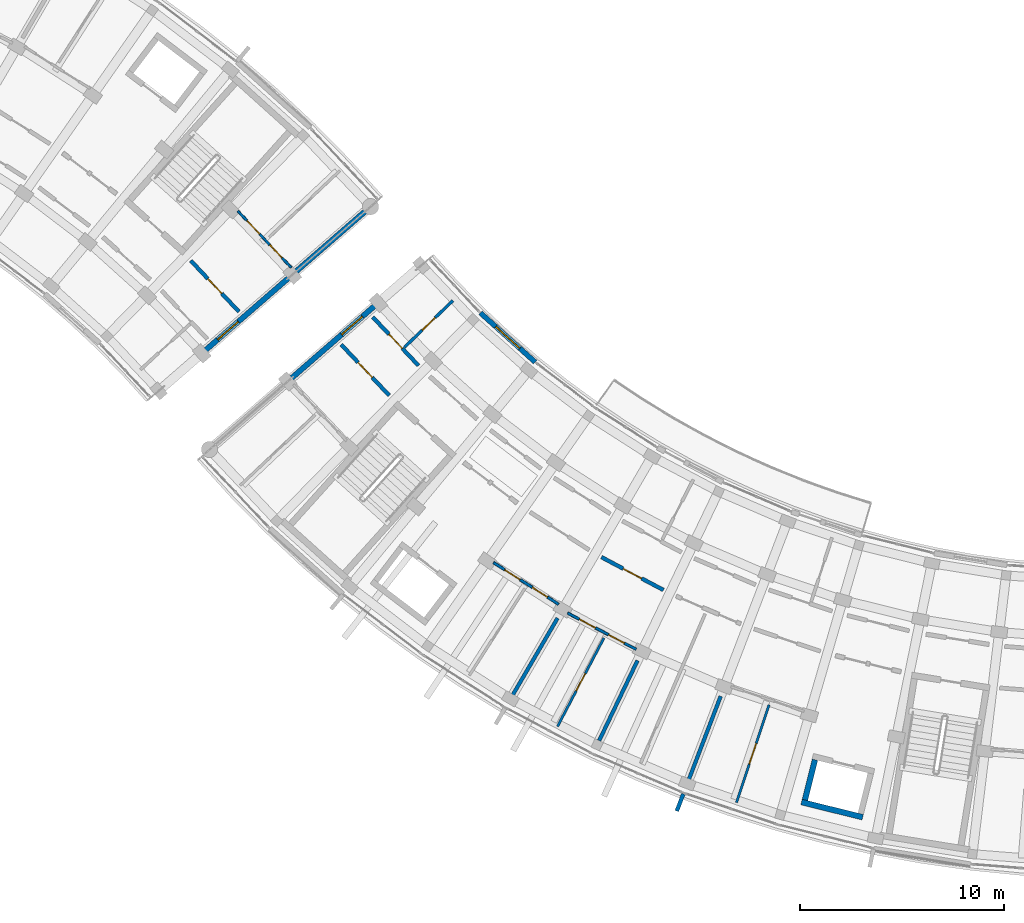
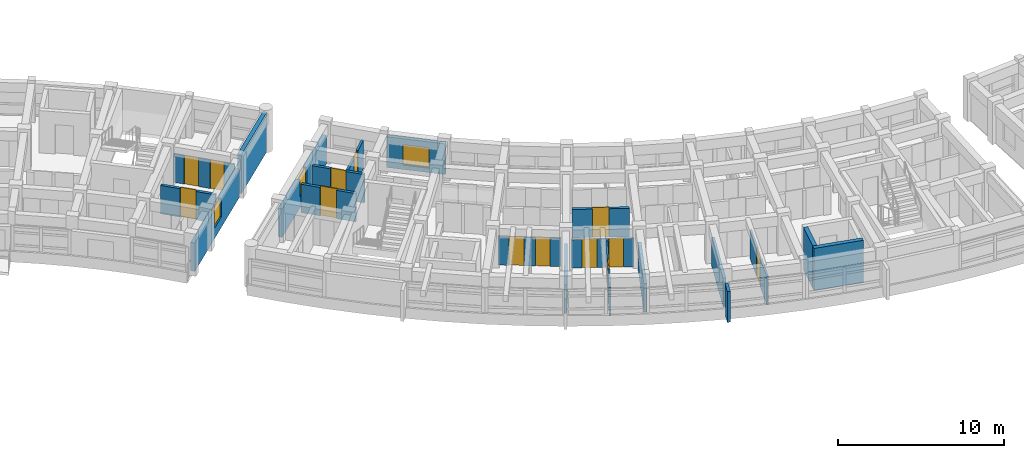
# One storey, part 33 of 56: 20 walls, 13 doors, 3 windows, 16 openings.
"""IFC4 building model written with IfcOpenShell, lengths in metres."""

import ifcopenshell
import ifcopenshell.guid

model = None  # the IFC model being written
_history = None  # IfcOwnerHistory: only IFC2X3 demands one
_inside = {}  # id of a spatial element -> (the spatial element, [elements in it])
_under = {}  # id of a project, library or spatial element -> (it, [spatial elements below it])
_declared = {}  # id of a project -> (the project, [libraries it declares])
_typed = {}  # id of a type object -> (the type object, [elements of that type])
_made_of = {}  # id of a material, layer set ... -> (it, [elements and type objects made of it])


def new_model(schema):
    """Start an empty IFC model of exactly this schema.

    Asked for "IFC4X3", IfcOpenShell would pick the latest addendum, in which some entities
    have other attributes; the version numbers below select the first issue.
    IFC2X3 requires an IfcOwnerHistory on every rooted entity: one is made here for all.
    """
    global model, _history
    if schema == "IFC4X3":
        model = ifcopenshell.file(schema_version=(4, 3, 0, 0))
    else:
        model = ifcopenshell.file(schema=schema)
    _inside.clear()
    _under.clear()
    _declared.clear()
    _typed.clear()
    _made_of.clear()
    _history = None
    if model.schema == "IFC2X3":
        org = make("IfcOrganization", Name="unknown")
        user = make(
            "IfcPersonAndOrganization",
            ThePerson=make("IfcPerson", FamilyName="unknown"),
            TheOrganization=org,
        )
        app = make(
            "IfcApplication",
            ApplicationDeveloper=org,
            Version="unknown",
            ApplicationFullName="unknown",
            ApplicationIdentifier="unknown",
        )
        _history = make(
            "IfcOwnerHistory",
            OwningUser=user,
            OwningApplication=app,
            ChangeAction="ADDED",
            CreationDate=0,
        )
    return model


def make(cls, **values):
    """One entity of the class cls with the attributes given. An attribute that is None is left unset."""
    return model.create_entity(
        cls, **{name: value for name, value in values.items() if value is not None}
    )


def rooted(cls, **values):
    """An entity with a GlobalId (a new one), such as an element, a storey or a relation."""
    return make(cls, GlobalId=ifcopenshell.guid.new(), OwnerHistory=_history, **values)


def si_unit(unit_type, name, prefix=None):
    """IfcSIUnit, for example si_unit("LENGTHUNIT", "METRE", prefix="MILLI")."""
    return make("IfcSIUnit", UnitType=unit_type, Prefix=prefix, Name=name)


def assignment(units):
    """IfcUnitAssignment: the units of a project."""
    return None if units is None else make("IfcUnitAssignment", Units=units)


def point(xyz):
    """IfcCartesianPoint."""
    return None if xyz is None else make("IfcCartesianPoint", Coordinates=xyz)


def direction(xyz):
    """IfcDirection."""
    return None if xyz is None else make("IfcDirection", DirectionRatios=xyz)


def frame(location, z_axis=None, x_axis=None):
    """IfcAxis2Placement3D, a coordinate frame: its origin and axes. An axis left out is left unset."""
    return make(
        "IfcAxis2Placement3D",
        Location=point(location),
        Axis=direction(z_axis),
        RefDirection=direction(x_axis),
    )


def frame_2d(location, x_axis=None):
    """IfcAxis2Placement2D, a coordinate frame in the plane: its origin and x axis."""
    return make(
        "IfcAxis2Placement2D", Location=point(location), RefDirection=direction(x_axis)
    )


def origin():
    """The frame at (0, 0, 0) with its axes left unset."""
    return frame((0.0, 0.0, 0.0))


def place(relative_to, where):
    """IfcLocalPlacement: puts the frame where relative to a parent placement (None: the world)."""
    return make(
        "IfcLocalPlacement", PlacementRelTo=relative_to, RelativePlacement=where
    )


def context(
    kind, dimensions, precision=None, world=None, true_north=None, identifier=None
):
    """IfcGeometricRepresentationContext, for example the 3D "Model" context."""
    return make(
        "IfcGeometricRepresentationContext",
        ContextIdentifier=identifier,
        ContextType=kind,
        CoordinateSpaceDimension=dimensions,
        Precision=precision,
        WorldCoordinateSystem=world,
        TrueNorth=true_north,
    )


def subcontext(parent, identifier, kind, view, scale=None):
    """IfcGeometricRepresentationSubContext, for example "Body" below "Model"."""
    return make(
        "IfcGeometricRepresentationSubContext",
        ContextIdentifier=identifier,
        ContextType=kind,
        ParentContext=parent,
        TargetScale=scale,
        TargetView=view,
    )


def project(units=None, contexts=None):
    """IfcProject with its units and contexts."""
    return rooted(
        "IfcProject",
        Name="project",
        RepresentationContexts=contexts,
        UnitsInContext=assignment(units),
    )


def spatial(cls, under=None, at=None, **own):
    """A site, building, storey or space (cls), placed at a placement, below another one or the project."""
    s = rooted(cls, ObjectPlacement=at, **own)
    if under is not None:
        _under.setdefault(under.id(), (under, []))[1].append(s)
    return s


def profile(cls, at=None, kind="AREA", **sizes):
    """A parametric profile (cls). Its sizes go by their IFC names, for example OverallWidth=200.0."""
    return make(cls, ProfileType=kind, Position=at, **sizes)


def rectangle(**sizes):
    """IfcRectangleProfileDef."""
    return profile("IfcRectangleProfileDef", **sizes)


def extrude(swept, where, along, depth):
    """IfcExtrudedAreaSolid: the profile swept, set in the frame where, extruded along a direction by depth."""
    return make(
        "IfcExtrudedAreaSolid",
        SweptArea=swept,
        Position=where,
        ExtrudedDirection=direction(along),
        Depth=depth,
    )


def shape(context_of_items, identifier, shape_type, items):
    """IfcShapeRepresentation: the items that make up one representation, for example the "Body"."""
    return make(
        "IfcShapeRepresentation",
        ContextOfItems=context_of_items,
        RepresentationIdentifier=identifier,
        RepresentationType=shape_type,
        Items=items,
    )


def material(Name=None, Category=None):
    """IfcMaterial."""
    return make("IfcMaterial", Name=Name, Category=Category)


def layer(
    of_material, thickness, ventilated=None, Name=None, Category=None, Priority=None
):
    """IfcMaterialLayer: one layer of a wall or slab, of a material (None: an air gap)."""
    return make(
        "IfcMaterialLayer",
        Material=of_material,
        LayerThickness=thickness,
        IsVentilated=ventilated,
        Name=Name,
        Category=Category,
        Priority=Priority,
    )


def layer_set(layers, Name=None):
    """IfcMaterialLayerSet."""
    return make("IfcMaterialLayerSet", MaterialLayers=layers, LayerSetName=Name)


def made_of(thing, what):
    """Note that an element or type object is made of a material, layer set ...; save() writes the relation."""
    if what is not None:
        _made_of.setdefault(what.id(), (what, []))[1].append(thing)
    return thing


def type_object(cls, material=None, **own):
    """A type object (cls), such as IfcWallType, which elements share."""
    return made_of(rooted(cls, **own), material)


def element(
    cls,
    number,
    at=None,
    inside=None,
    cuts=None,
    type_object=None,
    material=None,
    context=None,
    identifier="Body",
    shape_type=None,
    held_by="IfcProductDefinitionShape",
    body=None,
    shapes=None,
    **own,
):
    """One element of the class cls, such as IfcWall. Its Tag is "e" and its number.

    at: its placement. inside: the storey or other place that contains it. cuts: it is an
    opening in that element (IfcRelVoidsElement). A single representation is given by context,
    identifier, shape_type and body (its items); several are given by shapes. held_by: the class
    of the entity that holds the representations. save() writes the other relations.
    """
    e = rooted(cls, Tag="e%d" % number, ObjectPlacement=at, **own)
    if body is not None:
        shapes = [shape(context, identifier, shape_type, body)]
    if shapes is not None:
        e.Representation = make(held_by, Representations=shapes)
    if inside is not None:
        _inside.setdefault(inside.id(), (inside, []))[1].append(e)
    if cuts is not None:
        rooted(
            "IfcRelVoidsElement", RelatingBuildingElement=cuts, RelatedOpeningElement=e
        )
    if type_object is not None:
        _typed.setdefault(type_object.id(), (type_object, []))[1].append(e)
    return made_of(e, material)


def fill(opening, filler):
    """IfcRelFillsElement: the door or window that sits in an opening."""
    return rooted(
        "IfcRelFillsElement",
        RelatingOpeningElement=opening,
        RelatedBuildingElement=filler,
    )


def aggregate(whole, parts):
    """IfcRelAggregates: a whole, such as a stair, and the parts it consists of."""
    return rooted("IfcRelAggregates", RelatingObject=whole, RelatedObjects=parts)


def save(model, path):
    """Write the relations noted so far, then the file.

    IfcRelAggregates (storeys below a building ...), IfcRelContainedInSpatialStructure (elements
    in a storey), IfcRelDefinesByType, IfcRelAssociatesMaterial and IfcRelDeclares: one each for
    every whole, place, type object, material and project.
    """
    for whole, parts in _under.values():
        aggregate(whole, parts)
    for where, things in _inside.values():
        rooted(
            "IfcRelContainedInSpatialStructure",
            RelatedElements=things,
            RelatingStructure=where,
        )
    for kind, things in _typed.values():
        rooted("IfcRelDefinesByType", RelatedObjects=things, RelatingType=kind)
    for what, things in _made_of.values():
        rooted("IfcRelAssociatesMaterial", RelatedObjects=things, RelatingMaterial=what)
    for by, libraries in _declared.values():
        rooted("IfcRelDeclares", RelatingContext=by, RelatedDefinitions=libraries)
    model.write(path)


model = new_model("IFC4")

# Units and contexts
model_context = context("Model", 3, precision=1e-05, world=origin(), true_north=direction((0.0, 1.0)))
body_context = subcontext(model_context, "Body", "Model", "MODEL_VIEW")
ifc_project = project(units=[si_unit("LENGTHUNIT", "METRE"), si_unit("AREAUNIT", "SQUARE_METRE"), si_unit("VOLUMEUNIT", "CUBIC_METRE"), si_unit("PLANEANGLEUNIT", "RADIAN"), si_unit("MASSUNIT", "GRAM", prefix="KILO")], contexts=[model_context])

# Site, building, storey
site_placement = place(None, origin())
site = spatial("IfcSite", under=ifc_project, at=site_placement, CompositionType="ELEMENT")
building_placement = place(site_placement, origin())
building = spatial("IfcBuilding", under=site, at=building_placement, Name="Zimvara Arc Housing Community", CompositionType="ELEMENT")
storey_placement = place(building_placement, frame((0.0, 0.0, 11.199951171875)))
storey = spatial("IfcBuildingStorey", under=building, at=storey_placement, Name="L03", CompositionType="ELEMENT", Elevation=11.199951171875)

# Wall, opening, window
ifc_material_1 = material(Name="Board-Marked Fair-Faced Concrete C35/45", Category="concrete")
ifc_layer_1 = layer(ifc_material_1, 0.264892578125)
ifc_layer_set_1 = layer_set([ifc_layer_1], Name="Board-Marked Fair-Faced Concrete C35/45")
wall_type_1 = type_object("IfcWallType", Name="EWL-CONC-265", PredefinedType="SOLIDWALL", material=ifc_layer_set_1)
wall_1_placement = place(storey_placement, frame((79.233642578125, 74.2587890625, 0.0), z_axis=(0.0, 0.0, 1.0), x_axis=(0.754717680958, 0.656049710044, 0.0)))
wall_1 = element("IfcWall", 1, at=wall_1_placement, inside=storey, type_object=wall_type_1, Name="ewall:blkB:L03:gN", PredefinedType="SOLIDWALL", context=body_context, shape_type="SweptSolid", body=[
    extrude(rectangle(XDim=8.199951171875, YDim=0.264892578125, at=frame_2d((4.10009765625, 0.0))), origin(), (0.0, 0.0, 1.0), 2.080078125),
])
opening_1_placement = place(wall_1_placement, frame((3.590087890625, 0.0, 0.75)))
opening_1 = element("IfcOpeningElement", 2, at=opening_1_placement, cuts=wall_1, Name="Opening W12", PredefinedType="OPENING", context=body_context, shape_type="SweptSolid", body=[
    extrude(rectangle(XDim=1.35009765625, YDim=1.35009765625, at=frame_2d((0.675048828125, 0.675048828125))), frame((0.0, 0.142333984375, 0.0), z_axis=(0.0, -1.0, 0.0), x_axis=(1.0, 0.0, 0.0)), (0.0, 0.0, 1.0), 0.284912109375),
])
ifc_material_2 = material(Name="Solar Control Low-E Double Glazing", Category="glass")
window_type_1 = type_object("IfcWindowType", Name="WIN-RES-1350x1350", PartitioningType="DOUBLE_PANEL_VERTICAL", PredefinedType="WINDOW", material=ifc_material_2)
window_1_placement = place(opening_1_placement, origin())
window_1 = element("IfcWindow", 3, at=window_1_placement, inside=storey, type_object=window_type_1, Name="win:blkB:L03:gN:w", OverallHeight=1.35009765625, OverallWidth=1.35009765625, PartitioningType="DOUBLE_PANEL_VERTICAL", PredefinedType="WINDOW", context=body_context, shape_type="SweptSolid", body=[
    extrude(rectangle(XDim=1.35009765625, YDim=1.35009765625, at=frame_2d((0.675048828125, 0.675048828125))), frame((0.0, 0.030029296875, 0.0), z_axis=(0.0, -1.0, 0.0), x_axis=(1.0, 0.0, 0.0)), (0.0, 0.0, 1.0), 0.06005859375),
])
fill(opening_1, window_1)

wall_2_placement = place(storey_placement, frame((91.746337890625, 80.10107421875, 0.0), z_axis=(0.0, 0.0, 1.0), x_axis=(-0.754704866158, -0.656064451862, 0.0)))
wall_2 = element("IfcWall", 4, at=wall_2_placement, inside=storey, type_object=wall_type_1, Name="ewall:blkC:L03:g0", PredefinedType="SOLIDWALL", context=body_context, shape_type="SweptSolid", body=[
    extrude(rectangle(XDim=8.199951171875, YDim=0.264892578125, at=frame_2d((4.10009765625, 0.0))), origin(), (0.0, 0.0, 1.0), 2.080078125),
])
opening_2_placement = place(wall_2_placement, frame((3.590087890625, 0.0, 0.75)))
opening_2 = element("IfcOpeningElement", 5, at=opening_2_placement, cuts=wall_2, Name="Opening W12", PredefinedType="OPENING", context=body_context, shape_type="SweptSolid", body=[
    extrude(rectangle(XDim=1.35009765625, YDim=1.35009765625, at=frame_2d((0.675048828125, 0.675048828125))), frame((0.0, 0.142333984375, 0.0), z_axis=(0.0, -1.0, 0.0), x_axis=(1.0, 0.0, 0.0)), (0.0, 0.0, 1.0), 0.284912109375),
])
window_2_placement = place(opening_2_placement, origin())
window_2 = element("IfcWindow", 6, at=window_2_placement, inside=storey, type_object=window_type_1, Name="win:blkC:L03:g0:w", OverallHeight=1.35009765625, OverallWidth=1.35009765625, PartitioningType="DOUBLE_PANEL_VERTICAL", PredefinedType="WINDOW", context=body_context, shape_type="SweptSolid", body=[
    extrude(rectangle(XDim=1.35009765625, YDim=1.35009765625, at=frame_2d((0.675048828125, 0.675048828125))), frame((0.0, 0.030029296875, 0.0), z_axis=(0.0, -1.0, 0.0), x_axis=(1.0, 0.0, 0.0)), (0.0, 0.0, 1.0), 0.06005859375),
])
fill(opening_2, window_2)

# Wall
ifc_material_3 = material(Name="Board-Marked Fair-Faced Concrete C35/45", Category="concrete")
ifc_layer_2 = layer(ifc_material_3, 0.195068359375)
ifc_layer_set_2 = layer_set([ifc_layer_2], Name="Board-Marked Fair-Faced Concrete C35/45")
wall_type_2 = type_object("IfcWallType", Name="EWL-PARA-195", PredefinedType="PARAPET", material=ifc_layer_set_2)
wall_3_placement = place(storey_placement, frame((104.76318359375, 54.35693359375, 0.0), z_axis=(0.0, 0.0, 1.0), x_axis=(-0.357033038474, -0.934091756434, 0.0)))
element("IfcWall", 7, at=wall_3_placement, inside=storey, type_object=wall_type_2, Name="finwall:blkC:L03:out:b6", PredefinedType="PARAPET", context=body_context, shape_type="SweptSolid", body=[
    extrude(rectangle(XDim=0.89990234375, YDim=0.195068359375, at=frame_2d((0.449951171875, 0.0))), origin(), (0.0, 0.0, 1.0), 2.25),
])

# Wall, opening, window
ifc_material_4 = material(Name="Pigmented Fair-Faced Concrete C35/45", Category="concrete")
ifc_layer_3 = layer(ifc_material_4, 0.2451171875)
ifc_layer_set_3 = layer_set([ifc_layer_3], Name="Pigmented Fair-Faced Concrete C35/45")
wall_type_3 = type_object("IfcWallType", Name="EWL-PIGM-245", PredefinedType="SOLIDWALL", material=ifc_layer_set_3)
wall_4_placement = place(storey_placement, frame((94.8203125, 77.92333984375, 0.0), z_axis=(0.0, 0.0, 1.0), x_axis=(0.743385092197, -0.668863666751, 0.0)))
wall_4 = element("IfcWall", 8, at=wall_4_placement, inside=storey, type_object=wall_type_3, Name="ewall:blkC:L03:in:b1", PredefinedType="SOLIDWALL", context=body_context, shape_type="SweptSolid", body=[
    extrude(rectangle(XDim=3.603759765625, YDim=0.2451171875, at=frame_2d((1.8017578125, 0.0))), origin(), (0.0, 0.0, 1.0), 2.25),
])
opening_3_placement = place(wall_4_placement, frame((1.001708984375, 0.0, 0.320068359375)))
opening_3 = element("IfcOpeningElement", 9, at=opening_3_placement, cuts=wall_4, Name="Opening W03", PredefinedType="OPENING", context=body_context, shape_type="SweptSolid", body=[
    extrude(rectangle(XDim=1.60009765625, YDim=1.5, at=frame_2d((0.800048828125, 0.75))), frame((0.0, 0.132568359375, 0.0), z_axis=(0.0, -1.0, 0.0), x_axis=(1.0, 0.0, 0.0)), (0.0, 0.0, 1.0), 0.26513671875),
])
ifc_material_5 = material(Name="Solar Control Low-E Double Glazing", Category="glass")
window_type_2 = type_object("IfcWindowType", Name="WIN-RES-1600x1500", PartitioningType="DOUBLE_PANEL_VERTICAL", PredefinedType="WINDOW", material=ifc_material_5)
window_3_placement = place(opening_3_placement, origin())
window_3 = element("IfcWindow", 10, at=window_3_placement, inside=storey, type_object=window_type_2, Name="win:blkC:L03:in:b1", OverallHeight=1.5, OverallWidth=1.60009765625, PartitioningType="DOUBLE_PANEL_VERTICAL", PredefinedType="WINDOW", context=body_context, shape_type="SweptSolid", body=[
    extrude(rectangle(XDim=1.60009765625, YDim=1.5, at=frame_2d((0.800048828125, 0.75))), frame((0.0, 0.030029296875, 0.0), z_axis=(0.0, -1.0, 0.0), x_axis=(1.0, 0.0, 0.0)), (0.0, 0.0, 1.0), 0.06005859375),
])
fill(opening_3, window_3)

# Wall, opening, door
ifc_material_6 = material(Name="Concrete C35/45", Category="concrete")
ifc_layer_4 = layer(ifc_material_6, 0.18994140625)
ifc_layer_set_4 = layer_set([ifc_layer_4], Name="Concrete C35/45")
wall_type_4 = type_object("IfcWallType", Name="IWL-CORR-190", PredefinedType="SOLIDWALL", material=ifc_layer_set_4)
wall_5_placement = place(storey_placement, frame((80.627685546875, 80.48291015625, 0.0), z_axis=(0.0, 0.0, 1.0), x_axis=(0.686310507227, -0.727308660522, 0.0)))
wall_5 = element("IfcWall", 11, at=wall_5_placement, inside=storey, type_object=wall_type_4, Name="iwall:blkB:L03:corr_out:b9", PredefinedType="SOLIDWALL", context=body_context, shape_type="SweptSolid", body=[
    extrude(rectangle(XDim=3.43603515625, YDim=0.18994140625, at=frame_2d((1.718017578125, 0.0))), origin(), (0.0, 0.0, 1.0), 2.080078125),
])
opening_4_placement = place(wall_5_placement, frame((1.22802734375, 0.0, 0.0)))
opening_4 = element("IfcOpeningElement", 12, at=opening_4_placement, cuts=wall_5, Name="Opening FD-FL1", PredefinedType="OPENING", context=body_context, shape_type="SweptSolid", body=[
    extrude(rectangle(XDim=0.97998046875, YDim=2.14990234375, at=frame_2d((0.489990234375, 1.074951171875))), frame((0.0, 0.10498046875, 0.0), z_axis=(0.0, -1.0, 0.0), x_axis=(1.0, 0.0, 0.0)), (0.0, 0.0, 1.0), 0.2099609375),
])
ifc_material_7 = material(Name="Mozambican Hardwood", Category="wood")
door_type_1 = type_object("IfcDoorType", Name="IDR-FLAT-0980x2150", OperationType="NOTDEFINED", PredefinedType="DOOR", material=ifc_material_7)
door_1_placement = place(opening_4_placement, origin())
door_1 = element("IfcDoor", 13, at=door_1_placement, inside=storey, type_object=door_type_1, Name="idoor:blkB:L03:flat:b9", OperationType="SINGLE_SWING_LEFT", OverallHeight=2.14990234375, OverallWidth=0.97998046875, PredefinedType="DOOR", context=body_context, shape_type="SweptSolid", body=[
    extrude(rectangle(XDim=0.97998046875, YDim=2.14990234375, at=frame_2d((0.489990234375, 1.074951171875))), frame((0.0, 0.02490234375, 0.0), z_axis=(0.0, -1.0, 0.0), x_axis=(1.0, 0.0, 0.0)), (0.0, 0.0, 1.0), 0.050048828125),
])
fill(opening_4, door_1)

wall_6_placement = place(storey_placement, frame((87.994140625, 76.3759765625, 0.0), z_axis=(0.0, 0.0, 1.0), x_axis=(0.686310507227, -0.727308660522, 0.0)))
wall_6 = element("IfcWall", 14, at=wall_6_placement, inside=storey, type_object=wall_type_4, Name="iwall:blkC:L03:corr_out:b0", PredefinedType="SOLIDWALL", context=body_context, shape_type="SweptSolid", body=[
    extrude(rectangle(XDim=3.43603515625, YDim=0.18994140625, at=frame_2d((1.718017578125, 0.0))), origin(), (0.0, 0.0, 1.0), 2.080078125),
])
opening_5_placement = place(wall_6_placement, frame((1.2080078125, 0.0, 0.0)))
opening_5 = element("IfcOpeningElement", 15, at=opening_5_placement, cuts=wall_6, Name="Opening FD-FL2", PredefinedType="OPENING", context=body_context, shape_type="SweptSolid", body=[
    extrude(rectangle(XDim=1.02001953125, YDim=2.14990234375, at=frame_2d((0.510009765625, 1.074951171875))), frame((0.0, 0.10498046875, 0.0), z_axis=(0.0, -1.0, 0.0), x_axis=(1.0, 0.0, 0.0)), (0.0, 0.0, 1.0), 0.2099609375),
])
ifc_material_8 = material(Name="Mozambican Hardwood", Category="wood")
door_type_2 = type_object("IfcDoorType", Name="IDR-FLAT-1020x2150", OperationType="NOTDEFINED", PredefinedType="DOOR", material=ifc_material_8)
door_2_placement = place(opening_5_placement, origin())
door_2 = element("IfcDoor", 16, at=door_2_placement, inside=storey, type_object=door_type_2, Name="idoor:blkC:L03:flat:b0", OperationType="SINGLE_SWING_LEFT", OverallHeight=2.14990234375, OverallWidth=1.02001953125, PredefinedType="DOOR", context=body_context, shape_type="SweptSolid", body=[
    extrude(rectangle(XDim=1.02001953125, YDim=2.14990234375, at=frame_2d((0.510009765625, 1.074951171875))), frame((0.0, 0.02490234375, 0.0), z_axis=(0.0, -1.0, 0.0), x_axis=(1.0, 0.0, 0.0)), (0.0, 0.0, 1.0), 0.050048828125),
])
fill(opening_5, door_2)

wall_7_placement = place(storey_placement, frame((89.541259765625, 77.720947265625, 0.0), z_axis=(0.0, 0.0, 1.0), x_axis=(0.686344941052, -0.727276166179, 0.0)))
wall_7 = element("IfcWall", 17, at=wall_7_placement, inside=storey, type_object=wall_type_4, Name="iwall:blkC:L03:corr_in:b0", PredefinedType="SOLIDWALL", context=body_context, shape_type="SweptSolid", body=[
    extrude(rectangle(XDim=3.2685546875, YDim=0.18994140625, at=frame_2d((1.63427734375, 0.0))), origin(), (0.0, 0.0, 1.0), 2.080078125),
])
opening_6_placement = place(wall_7_placement, frame((1.154296875, 0.0, 0.0)))
opening_6 = element("IfcOpeningElement", 18, at=opening_6_placement, cuts=wall_7, Name="Opening D04", PredefinedType="OPENING", context=body_context, shape_type="SweptSolid", body=[
    extrude(rectangle(XDim=0.9599609375, YDim=2.10009765625, at=frame_2d((0.47998046875, 1.050048828125))), frame((0.0, 0.10498046875, 0.0), z_axis=(0.0, -1.0, 0.0), x_axis=(1.0, 0.0, 0.0)), (0.0, 0.0, 1.0), 0.2099609375),
])
ifc_material_9 = material(Name="Mozambican Hardwood", Category="wood")
door_type_3 = type_object("IfcDoorType", Name="IDR-RM-0960x2100", OperationType="NOTDEFINED", PredefinedType="DOOR", material=ifc_material_9)
door_3_placement = place(opening_6_placement, origin())
door_3 = element("IfcDoor", 19, at=door_3_placement, inside=storey, type_object=door_type_3, Name="idoor:blkC:L03:in_rm:b0", OperationType="SINGLE_SWING_RIGHT", OverallHeight=2.10009765625, OverallWidth=0.9599609375, PredefinedType="DOOR", context=body_context, shape_type="SweptSolid", body=[
    extrude(rectangle(XDim=0.9599609375, YDim=2.10009765625, at=frame_2d((0.47998046875, 1.050048828125))), frame((0.0, 0.02490234375, 0.0), z_axis=(0.0, -1.0, 0.0), x_axis=(1.0, 0.0, 0.0)), (0.0, 0.0, 1.0), 0.050048828125),
])
fill(opening_6, door_3)

wall_8_placement = place(storey_placement, frame((100.750244140625, 65.9560546875, 0.0), z_axis=(0.0, 0.0, 1.0), x_axis=(0.883440266101, -0.468543803963, 0.0)))
wall_8 = element("IfcWall", 20, at=wall_8_placement, inside=storey, type_object=wall_type_4, Name="iwall:blkC:L03:corr_out:b4", PredefinedType="SOLIDWALL", context=body_context, shape_type="SweptSolid", body=[
    extrude(rectangle(XDim=3.435791015625, YDim=0.18994140625, at=frame_2d((1.7177734375, 0.0))), origin(), (0.0, 0.0, 1.0), 2.080078125),
])
opening_7_placement = place(wall_8_placement, frame((1.2080078125, 0.0, 0.0)))
opening_7 = element("IfcOpeningElement", 21, at=opening_7_placement, cuts=wall_8, Name="Opening FD-FL2", PredefinedType="OPENING", context=body_context, shape_type="SweptSolid", body=[
    extrude(rectangle(XDim=1.02001953125, YDim=2.14990234375, at=frame_2d((0.510009765625, 1.074951171875))), frame((0.0, 0.10498046875, 0.0), z_axis=(0.0, -1.0, 0.0), x_axis=(1.0, 0.0, 0.0)), (0.0, 0.0, 1.0), 0.2099609375),
])
door_4_placement = place(opening_7_placement, origin())
door_4 = element("IfcDoor", 22, at=door_4_placement, inside=storey, type_object=door_type_2, Name="idoor:blkC:L03:flat:b4", OperationType="SINGLE_SWING_RIGHT", OverallHeight=2.14990234375, OverallWidth=1.02001953125, PredefinedType="DOOR", context=body_context, shape_type="SweptSolid", body=[
    extrude(rectangle(XDim=1.02001953125, YDim=2.14990234375, at=frame_2d((0.510009765625, 1.074951171875))), frame((0.0, 0.02490234375, 0.0), z_axis=(0.0, -1.0, 0.0), x_axis=(1.0, 0.0, 0.0)), (0.0, 0.0, 1.0), 0.050048828125),
])
fill(opening_7, door_4)

# Walls
ifc_material_10 = material(Name="Concrete C35/45", Category="concrete")
ifc_layer_5 = layer(ifc_material_10, 0.18505859375)
ifc_layer_set_5 = layer_set([ifc_layer_5], Name="Concrete C35/45")
wall_type_5 = type_object("IfcWallType", Name="IWL-FLAT-185", PredefinedType="SOLIDWALL", material=ifc_layer_set_5)
wall_9_placement = place(storey_placement, frame((98.6005859375, 62.968017578125, 0.0), z_axis=(0.0, 0.0, 1.0), x_axis=(-0.504216452091, -0.863577309475, 0.0)))
element("IfcWall", 23, at=wall_9_placement, inside=storey, type_object=wall_type_5, Name="iwall:blkC:L03:party:b4", PredefinedType="SOLIDWALL", context=body_context, shape_type="SweptSolid", body=[
    extrude(rectangle(XDim=4.35009765625, YDim=0.18505859375, at=frame_2d((2.175048828125, 0.0))), origin(), (0.0, 0.0, 1.0), 2.080078125),
])
wall_10_placement = place(storey_placement, frame((102.517822265625, 60.890380859375, 0.0), z_axis=(0.0, 0.0, 1.0), x_axis=(-0.432108769108, -0.901821496561, 0.0)))
element("IfcWall", 24, at=wall_10_placement, inside=storey, type_object=wall_type_5, Name="iwall:blkC:L03:party:b5", PredefinedType="SOLIDWALL", context=body_context, shape_type="SweptSolid", body=[
    extrude(rectangle(XDim=4.349853515625, YDim=0.18505859375, at=frame_2d((2.1748046875, 0.0))), origin(), (0.0, 0.0, 1.0), 2.080078125),
])
wall_11_placement = place(storey_placement, frame((106.59130859375, 59.139404296875, 0.0), z_axis=(0.0, 0.0, 1.0), x_axis=(-0.357064016205, -0.934079915388, 0.0)))
element("IfcWall", 25, at=wall_11_placement, inside=storey, type_object=wall_type_5, Name="iwall:blkC:L03:party:b6", PredefinedType="SOLIDWALL", context=body_context, shape_type="SweptSolid", body=[
    extrude(rectangle(XDim=4.35009765625, YDim=0.18505859375, at=frame_2d((2.175048828125, 0.0))), origin(), (0.0, 0.0, 1.0), 2.080078125),
])

# Wall, openings, doors
ifc_material_11 = material(Name="Painted Acoustic Plasterboard")
ifc_layer_6 = layer(ifc_material_11, 0.114990234375)
ifc_layer_set_6 = layer_set([ifc_layer_6], Name="Painted Acoustic Plasterboard")
wall_type_6 = type_object("IfcWallType", Name="IWL-PART-115", PredefinedType="PARTITIONING", material=ifc_layer_set_6)
wall_12_placement = place(storey_placement, frame((82.933837890625, 82.916015625, 0.0), z_axis=(0.0, 0.0, 1.0), x_axis=(0.686301674417, -0.727316995327, 0.0)))
wall_12 = element("IfcWall", 26, at=wall_12_placement, inside=storey, type_object=wall_type_6, Name="iwall:blkB:L03:srv:b9", PredefinedType="PARTITIONING", context=body_context, shape_type="SweptSolid", body=[
    extrude(rectangle(XDim=3.8095703125, YDim=0.114990234375, at=frame_2d((1.90478515625, 0.0))), origin(), (0.0, 0.0, 1.0), 2.080078125),
])
opening_8_placement = place(wall_12_placement, frame((0.64990234375, 0.0, 0.0)))
opening_8 = element("IfcOpeningElement", 27, at=opening_8_placement, cuts=wall_12, Name="Opening D01", PredefinedType="OPENING", context=body_context, shape_type="SweptSolid", body=[
    extrude(rectangle(XDim=0.89990234375, YDim=2.10009765625, at=frame_2d((0.449951171875, 1.050048828125))), frame((0.0, 0.0673828125, 0.0), z_axis=(0.0, -1.0, 0.0), x_axis=(1.0, 0.0, 0.0)), (0.0, 0.0, 1.0), 0.135009765625),
])
opening_9_placement = place(wall_12_placement, frame((2.279541015625, 0.0, 0.0)))
opening_9 = element("IfcOpeningElement", 28, at=opening_9_placement, cuts=wall_12, Name="Opening D05", PredefinedType="OPENING", context=body_context, shape_type="SweptSolid", body=[
    extrude(rectangle(XDim=0.8798828125, YDim=2.10009765625, at=frame_2d((0.43994140625, 1.050048828125))), frame((0.0, 0.0673828125, 0.0), z_axis=(0.0, -1.0, 0.0), x_axis=(1.0, 0.0, 0.0)), (0.0, 0.0, 1.0), 0.135009765625),
])
ifc_material_12 = material(Name="Mozambican Hardwood", Category="wood")
door_type_4 = type_object("IfcDoorType", Name="IDR-RM-0900x2100", OperationType="NOTDEFINED", PredefinedType="DOOR", material=ifc_material_12)
door_5_placement = place(opening_8_placement, origin())
door_5 = element("IfcDoor", 29, at=door_5_placement, inside=storey, type_object=door_type_4, Name="idoor:blkB:L03:kit_liv:b9", OperationType="SINGLE_SWING_RIGHT", OverallHeight=2.10009765625, OverallWidth=0.89990234375, PredefinedType="DOOR", context=body_context, shape_type="SweptSolid", body=[
    extrude(rectangle(XDim=0.89990234375, YDim=2.10009765625, at=frame_2d((0.449951171875, 1.050048828125))), frame((0.0, 0.02490234375, 0.0), z_axis=(0.0, -1.0, 0.0), x_axis=(1.0, 0.0, 0.0)), (0.0, 0.0, 1.0), 0.050048828125),
])
fill(opening_8, door_5)
ifc_material_13 = material(Name="Mozambican Hardwood", Category="wood")
door_type_5 = type_object("IfcDoorType", Name="IDR-WC-0880x2100", OperationType="NOTDEFINED", PredefinedType="DOOR", material=ifc_material_13)
door_6_placement = place(opening_9_placement, origin())
door_6 = element("IfcDoor", 30, at=door_6_placement, inside=storey, type_object=door_type_5, Name="idoor:blkB:L03:bath_d:b9", OperationType="SINGLE_SWING_LEFT", OverallHeight=2.10009765625, OverallWidth=0.8798828125, PredefinedType="DOOR", context=body_context, shape_type="SweptSolid", body=[
    extrude(rectangle(XDim=0.8798828125, YDim=2.10009765625, at=frame_2d((0.43994140625, 1.050048828125))), frame((0.0, 0.02490234375, 0.0), z_axis=(0.0, -1.0, 0.0), x_axis=(1.0, 0.0, 0.0)), (0.0, 0.0, 1.0), 0.050048828125),
])
fill(opening_9, door_6)

# Wall, opening, door
ifc_material_14 = material(Name="Painted Acoustic Plasterboard")
ifc_layer_7 = layer(ifc_material_14, 0.1201171875)
ifc_layer_set_7 = layer_set([ifc_layer_7], Name="Painted Acoustic Plasterboard")
wall_type_7 = type_object("IfcWallType", Name="IWL-PART-120", PredefinedType="PARTITIONING", material=ifc_layer_set_7)
wall_13_placement = place(storey_placement, frame((100.871337890625, 61.99609375, 0.0), z_axis=(0.0, 0.0, 1.0), x_axis=(-0.464567298878, -0.885537816704, 0.0)))
wall_13 = element("IfcWall", 31, at=wall_13_placement, inside=storey, type_object=wall_type_7, Name="iwall:blkC:L03:bed_div:b4", PredefinedType="PARTITIONING", context=body_context, shape_type="SweptSolid", body=[
    extrude(rectangle(XDim=4.89990234375, YDim=0.1201171875, at=frame_2d((2.449951171875, 0.0))), origin(), (0.0, 0.0, 1.0), 2.080078125),
])
opening_10_placement = place(wall_13_placement, frame((1.965087890625, 0.0, 0.0)))
opening_10 = element("IfcOpeningElement", 32, at=opening_10_placement, cuts=wall_13, Name="Opening D14", PredefinedType="OPENING", context=body_context, shape_type="SweptSolid", body=[
    extrude(rectangle(XDim=0.969970703125, YDim=2.10009765625, at=frame_2d((0.48486328125, 1.050048828125))), frame((0.0, 0.070068359375, 0.0), z_axis=(0.0, -1.0, 0.0), x_axis=(1.0, 0.0, 0.0)), (0.0, 0.0, 1.0), 0.14013671875),
])
ifc_material_15 = material(Name="Mozambican Hardwood", Category="wood")
door_type_6 = type_object("IfcDoorType", Name="IDR-MOD-970x2080", OperationType="NOTDEFINED", PredefinedType="DOOR", material=ifc_material_15)
door_7_placement = place(opening_10_placement, origin())
door_7 = element("IfcDoor", 33, at=door_7_placement, inside=storey, type_object=door_type_6, Name="idoor:blkC:L03:bed_d:b4", OperationType="SINGLE_SWING_LEFT", OverallHeight=2.10009765625, OverallWidth=0.969970703125, PredefinedType="DOOR", context=body_context, shape_type="SweptSolid", body=[
    extrude(rectangle(XDim=0.969970703125, YDim=2.10009765625, at=frame_2d((0.48486328125, 1.050048828125))), frame((0.0, 0.02490234375, 0.0), z_axis=(0.0, -1.0, 0.0), x_axis=(1.0, 0.0, 0.0)), (0.0, 0.0, 1.0), 0.050048828125),
])
fill(opening_10, door_7)

wall_14_placement = place(storey_placement, frame((108.960205078125, 58.7177734375, 0.0), z_axis=(0.0, 0.0, 1.0), x_axis=(-0.315778138239, -0.948833055606, 0.0)))
wall_14 = element("IfcWall", 34, at=wall_14_placement, inside=storey, type_object=wall_type_7, Name="iwall:blkC:L03:bed_div:b6", PredefinedType="PARTITIONING", context=body_context, shape_type="SweptSolid", body=[
    extrude(rectangle(XDim=5.050048828125, YDim=0.1201171875, at=frame_2d((2.52490234375, 0.0))), origin(), (0.0, 0.0, 1.0), 2.080078125),
])
opening_11_placement = place(wall_14_placement, frame((1.9951171875, 0.0, 0.0)))
opening_11 = element("IfcOpeningElement", 35, at=opening_11_placement, cuts=wall_14, Name="Opening D16", PredefinedType="OPENING", context=body_context, shape_type="SweptSolid", body=[
    extrude(rectangle(XDim=1.06005859375, YDim=2.10009765625, at=frame_2d((0.530029296875, 1.050048828125))), frame((0.0, 0.070068359375, 0.0), z_axis=(0.0, -1.0, 0.0), x_axis=(1.0, 0.0, 0.0)), (0.0, 0.0, 1.0), 0.14013671875),
])
ifc_material_16 = material(Name="Mozambican Hardwood", Category="wood")
door_type_7 = type_object("IfcDoorType", Name="IDR-MOD-1060x2220", OperationType="NOTDEFINED", PredefinedType="DOOR", material=ifc_material_16)
door_8_placement = place(opening_11_placement, origin())
door_8 = element("IfcDoor", 36, at=door_8_placement, inside=storey, type_object=door_type_7, Name="idoor:blkC:L03:bed_d:b6", OperationType="SINGLE_SWING_LEFT", OverallHeight=2.10009765625, OverallWidth=1.06005859375, PredefinedType="DOOR", context=body_context, shape_type="SweptSolid", body=[
    extrude(rectangle(XDim=1.06005859375, YDim=2.10009765625, at=frame_2d((0.530029296875, 1.050048828125))), frame((0.0, 0.02490234375, 0.0), z_axis=(0.0, -1.0, 0.0), x_axis=(1.0, 0.0, 0.0)), (0.0, 0.0, 1.0), 0.050048828125),
])
fill(opening_11, door_8)

# Wall, openings, doors
ifc_material_17 = material(Name="Painted Acoustic Plasterboard")
ifc_layer_8 = layer(ifc_material_17, 0.125)
ifc_layer_set_8 = layer_set([ifc_layer_8], Name="Painted Acoustic Plasterboard")
wall_type_8 = type_object("IfcWallType", Name="IWL-PART-125", PredefinedType="PARTITIONING", material=ifc_layer_set_8)
wall_15_placement = place(storey_placement, frame((99.092529296875, 63.216064453125, 0.0), z_axis=(0.0, 0.0, 1.0), x_axis=(0.883432667361, -0.468558131121, 0.0)))
wall_15 = element("IfcWall", 37, at=wall_15_placement, inside=storey, type_object=wall_type_8, Name="iwall:blkC:L03:srv:b4", PredefinedType="PARTITIONING", context=body_context, shape_type="SweptSolid", body=[
    extrude(rectangle(XDim=3.79736328125, YDim=0.125, at=frame_2d((1.898681640625, 0.0))), origin(), (0.0, 0.0, 1.0), 2.080078125),
])
opening_12_placement = place(wall_15_placement, frame((0.64990234375, 0.0, 0.0)))
opening_12 = element("IfcOpeningElement", 38, at=opening_12_placement, cuts=wall_15, Name="Opening D01", PredefinedType="OPENING", context=body_context, shape_type="SweptSolid", body=[
    extrude(rectangle(XDim=0.89990234375, YDim=2.10009765625, at=frame_2d((0.449951171875, 1.050048828125))), frame((0.0, 0.072509765625, 0.0), z_axis=(0.0, -1.0, 0.0), x_axis=(1.0, 0.0, 0.0)), (0.0, 0.0, 1.0), 0.14501953125),
])
opening_13_placement = place(wall_15_placement, frame((2.267333984375, 0.0, 0.0)))
opening_13 = element("IfcOpeningElement", 39, at=opening_13_placement, cuts=wall_15, Name="Opening D05", PredefinedType="OPENING", context=body_context, shape_type="SweptSolid", body=[
    extrude(rectangle(XDim=0.8798828125, YDim=2.10009765625, at=frame_2d((0.43994140625, 1.050048828125))), frame((0.0, 0.072509765625, 0.0), z_axis=(0.0, -1.0, 0.0), x_axis=(1.0, 0.0, 0.0)), (0.0, 0.0, 1.0), 0.14501953125),
])
door_9_placement = place(opening_12_placement, origin())
door_9 = element("IfcDoor", 40, at=door_9_placement, inside=storey, type_object=door_type_4, Name="idoor:blkC:L03:kit_liv:b4", OperationType="SINGLE_SWING_LEFT", OverallHeight=2.10009765625, OverallWidth=0.89990234375, PredefinedType="DOOR", context=body_context, shape_type="SweptSolid", body=[
    extrude(rectangle(XDim=0.89990234375, YDim=2.10009765625, at=frame_2d((0.449951171875, 1.050048828125))), frame((0.0, 0.02490234375, 0.0), z_axis=(0.0, -1.0, 0.0), x_axis=(1.0, 0.0, 0.0)), (0.0, 0.0, 1.0), 0.050048828125),
])
fill(opening_12, door_9)
door_10_placement = place(opening_13_placement, origin())
door_10 = element("IfcDoor", 41, at=door_10_placement, inside=storey, type_object=door_type_5, Name="idoor:blkC:L03:bath_d:b4", OperationType="SINGLE_SWING_RIGHT", OverallHeight=2.10009765625, OverallWidth=0.8798828125, PredefinedType="DOOR", context=body_context, shape_type="SweptSolid", body=[
    extrude(rectangle(XDim=0.8798828125, YDim=2.10009765625, at=frame_2d((0.43994140625, 1.050048828125))), frame((0.0, 0.02490234375, 0.0), z_axis=(0.0, -1.0, 0.0), x_axis=(1.0, 0.0, 0.0)), (0.0, 0.0, 1.0), 0.050048828125),
])
fill(opening_13, door_10)

ifc_material_18 = material(Name="Painted Acoustic Plasterboard")
ifc_layer_9 = layer(ifc_material_18, 0.1298828125)
ifc_layer_set_9 = layer_set([ifc_layer_9], Name="Painted Acoustic Plasterboard")
wall_type_9 = type_object("IfcWallType", Name="IWL-PART-130", PredefinedType="PARTITIONING", material=ifc_layer_set_9)
wall_16_placement = place(storey_placement, frame((95.46240234375, 65.688232421875, 0.0), z_axis=(0.0, 0.0, 1.0), x_axis=(0.842274914974, -0.539048205271, 0.0)))
wall_16 = element("IfcWall", 42, at=wall_16_placement, inside=storey, type_object=wall_type_9, Name="iwall:blkC:L03:srv:b3", PredefinedType="PARTITIONING", context=body_context, shape_type="SweptSolid", body=[
    extrude(rectangle(XDim=3.784912109375, YDim=0.1298828125, at=frame_2d((1.892578125, 0.0))), origin(), (0.0, 0.0, 1.0), 2.080078125),
])
opening_14_placement = place(wall_16_placement, frame((0.64990234375, 0.0, 0.0)))
opening_14 = element("IfcOpeningElement", 43, at=opening_14_placement, cuts=wall_16, Name="Opening D01", PredefinedType="OPENING", context=body_context, shape_type="SweptSolid", body=[
    extrude(rectangle(XDim=0.89990234375, YDim=2.10009765625, at=frame_2d((0.449951171875, 1.050048828125))), frame((0.0, 0.074951171875, 0.0), z_axis=(0.0, -1.0, 0.0), x_axis=(1.0, 0.0, 0.0)), (0.0, 0.0, 1.0), 0.14990234375),
])
opening_15_placement = place(wall_16_placement, frame((2.255126953125, 0.0, 0.0)))
opening_15 = element("IfcOpeningElement", 44, at=opening_15_placement, cuts=wall_16, Name="Opening D05", PredefinedType="OPENING", context=body_context, shape_type="SweptSolid", body=[
    extrude(rectangle(XDim=0.8798828125, YDim=2.10009765625, at=frame_2d((0.43994140625, 1.050048828125))), frame((0.0, 0.074951171875, 0.0), z_axis=(0.0, -1.0, 0.0), x_axis=(1.0, 0.0, 0.0)), (0.0, 0.0, 1.0), 0.14990234375),
])
door_11_placement = place(opening_14_placement, origin())
door_11 = element("IfcDoor", 45, at=door_11_placement, inside=storey, type_object=door_type_4, Name="idoor:blkC:L03:kit_liv:b3", OperationType="SINGLE_SWING_LEFT", OverallHeight=2.10009765625, OverallWidth=0.89990234375, PredefinedType="DOOR", context=body_context, shape_type="SweptSolid", body=[
    extrude(rectangle(XDim=0.89990234375, YDim=2.10009765625, at=frame_2d((0.449951171875, 1.050048828125))), frame((0.0, 0.02490234375, 0.0), z_axis=(0.0, -1.0, 0.0), x_axis=(1.0, 0.0, 0.0)), (0.0, 0.0, 1.0), 0.050048828125),
])
fill(opening_14, door_11)
door_12_placement = place(opening_15_placement, origin())
door_12 = element("IfcDoor", 46, at=door_12_placement, inside=storey, type_object=door_type_5, Name="idoor:blkC:L03:bath_d:b3", OperationType="SINGLE_SWING_RIGHT", OverallHeight=2.10009765625, OverallWidth=0.8798828125, PredefinedType="DOOR", context=body_context, shape_type="SweptSolid", body=[
    extrude(rectangle(XDim=0.8798828125, YDim=2.10009765625, at=frame_2d((0.43994140625, 1.050048828125))), frame((0.0, 0.02490234375, 0.0), z_axis=(0.0, -1.0, 0.0), x_axis=(1.0, 0.0, 0.0)), (0.0, 0.0, 1.0), 0.050048828125),
])
fill(opening_15, door_12)

# Wall, opening, door
ifc_material_19 = material(Name="Painted Acoustic Plasterboard")
ifc_layer_10 = layer(ifc_material_19, 0.14501953125)
ifc_layer_set_10 = layer_set([ifc_layer_10], Name="Painted Acoustic Plasterboard")
wall_type_10 = type_object("IfcWallType", Name="IWL-WET-145", PredefinedType="PARTITIONING", material=ifc_layer_set_10)
wall_17_placement = place(storey_placement, frame((93.4716796875, 78.527587890625, 0.0), z_axis=(0.0, 0.0, 1.0), x_axis=(-0.720006650938, -0.693967162483, 0.0)))
wall_17 = element("IfcWall", 47, at=wall_17_placement, inside=storey, type_object=wall_type_10, Name="iwall:blkC:L03:ens:b0", PredefinedType="PARTITIONING", context=body_context, shape_type="SweptSolid", body=[
    extrude(rectangle(XDim=3.30029296875, YDim=0.14501953125, at=frame_2d((1.650146484375, 0.0))), origin(), (0.0, 0.0, 1.0), 2.080078125),
])
opening_16_placement = place(wall_17_placement, frame((1.2099609375, 0.0, 0.0)))
opening_16 = element("IfcOpeningElement", 48, at=opening_16_placement, cuts=wall_17, Name="Opening D05", PredefinedType="OPENING", context=body_context, shape_type="SweptSolid", body=[
    extrude(rectangle(XDim=0.8798828125, YDim=2.10009765625, at=frame_2d((0.43994140625, 1.050048828125))), frame((0.0, 0.08251953125, 0.0), z_axis=(0.0, -1.0, 0.0), x_axis=(1.0, 0.0, 0.0)), (0.0, 0.0, 1.0), 0.1650390625),
])
door_13_placement = place(opening_16_placement, origin())
door_13 = element("IfcDoor", 49, at=door_13_placement, inside=storey, type_object=door_type_5, Name="idoor:blkC:L03:ens_d:b0", OperationType="SINGLE_SWING_LEFT", OverallHeight=2.10009765625, OverallWidth=0.8798828125, PredefinedType="DOOR", context=body_context, shape_type="SweptSolid", body=[
    extrude(rectangle(XDim=0.8798828125, YDim=2.10009765625, at=frame_2d((0.43994140625, 1.050048828125))), frame((0.0, 0.02490234375, 0.0), z_axis=(0.0, -1.0, 0.0), x_axis=(1.0, 0.0, 0.0)), (0.0, 0.0, 1.0), 0.050048828125),
])
fill(opening_16, door_13)

# Walls
ifc_material_20 = material(Name="Concrete C40/50", Category="concrete")
ifc_layer_11 = layer(ifc_material_20, 0.280029296875)
ifc_layer_set_11 = layer_set([ifc_layer_11], Name="Concrete C40/50")
wall_type_11 = type_object("IfcWallType", Name="WL-CORE-280", PredefinedType="SHEAR", material=ifc_layer_set_11)
wall_18_placement = place(storey_placement, frame((110.552978515625, 53.953857421875, 0.0), z_axis=(0.0, 0.0, 1.0), x_axis=(0.970725280816, -0.240192483614, 0.0)))
element("IfcWall", 50, at=wall_18_placement, inside=storey, type_object=wall_type_11, Name="lwall:LP-C2:L03:back", PredefinedType="SHEAR", context=body_context, shape_type="SweptSolid", body=[
    extrude(rectangle(XDim=3.090087890625, YDim=0.280029296875, at=frame_2d((1.544921875, 0.0))), origin(), (0.0, 0.0, 1.0), 3.10009765625),
])
wall_19_placement = place(storey_placement, frame((111.210205078125, 56.026611328125, 0.0), z_axis=(0.0, 0.0, 1.0), x_axis=(-0.240186044774, -0.970726873995, 0.0)))
element("IfcWall", 51, at=wall_19_placement, inside=storey, type_object=wall_type_11, Name="lwall:LP-C2:L03:left", PredefinedType="SHEAR", context=body_context, shape_type="SweptSolid", body=[
    extrude(rectangle(XDim=2.02978515625, YDim=0.280029296875, at=frame_2d((1.014892578125, 0.0))), origin(), (0.0, 0.0, 1.0), 3.10009765625),
])
ifc_material_21 = material(Name="Concrete C40/50", Category="concrete")
ifc_layer_12 = layer(ifc_material_21, 0.27001953125)
ifc_layer_set_12 = layer_set([ifc_layer_12], Name="Concrete C40/50")
wall_type_12 = type_object("IfcWallType", Name="WL-SHEAR-270", PredefinedType="SHEAR", material=ifc_layer_set_12)
wall_20_placement = place(storey_placement, frame((85.7392578125, 79.9140625, 0.0), z_axis=(0.0, 0.0, 1.0), x_axis=(0.754703505217, 0.65606601742, 0.0)))
element("IfcWall", 52, at=wall_20_placement, inside=storey, type_object=wall_type_12, Name="swall:blkB:L03:east", PredefinedType="SHEAR", context=body_context, shape_type="SweptSolid", body=[
    extrude(rectangle(XDim=4.719970703125, YDim=0.27001953125, at=frame_2d((2.35986328125, 0.0))), origin(), (0.0, 0.0, 1.0), 2.860107421875),
])

save(model, "model.ifc")
